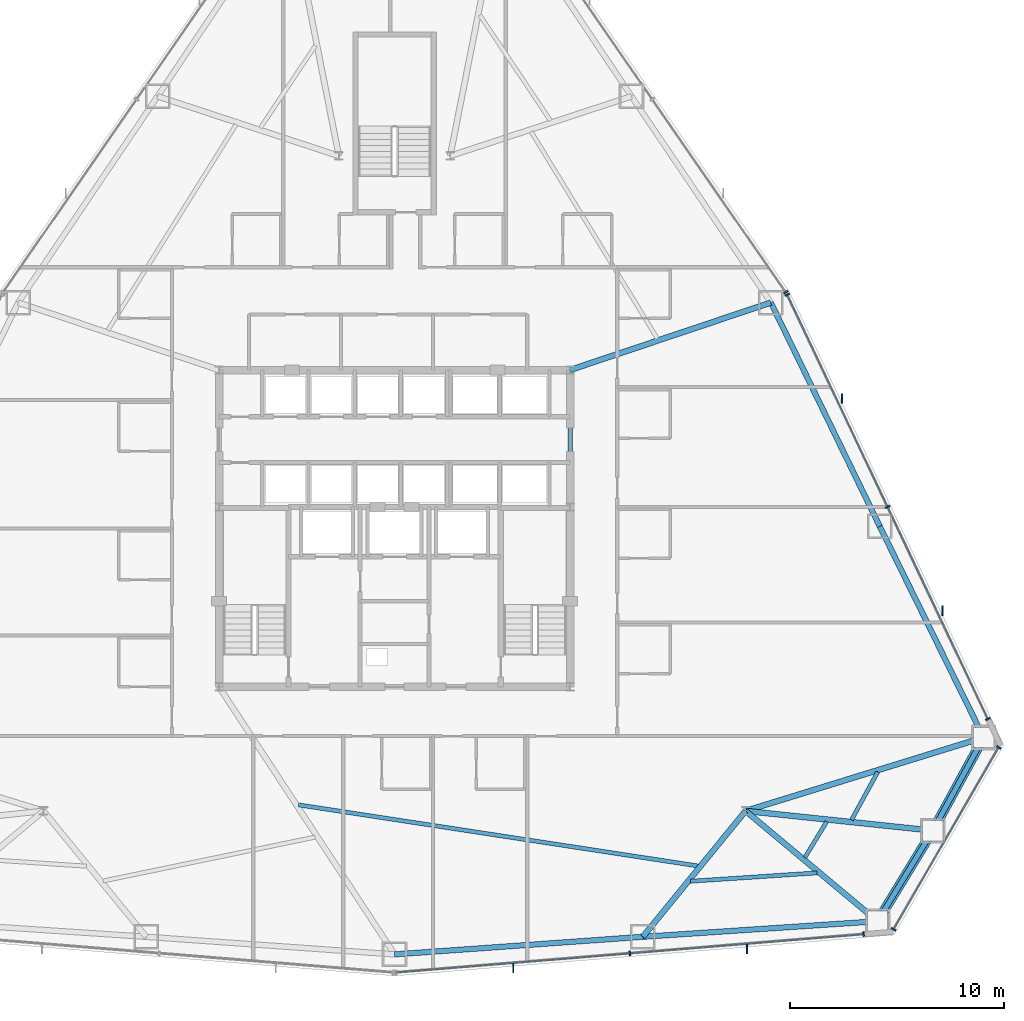
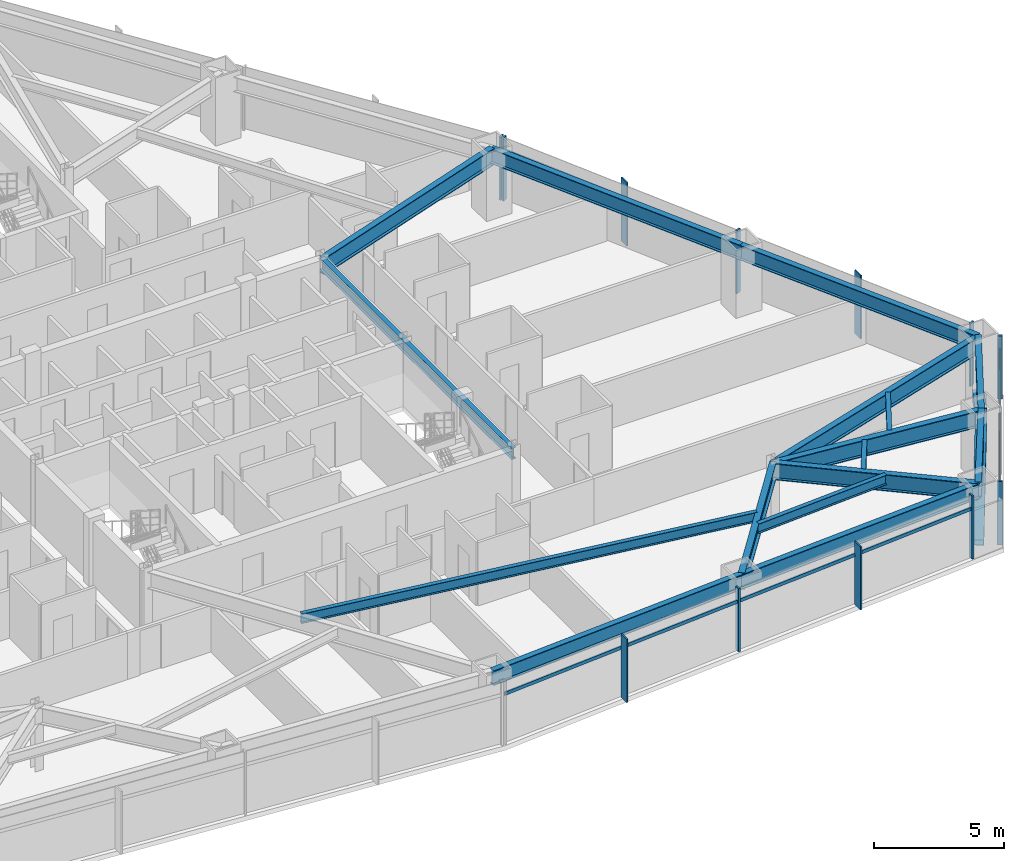
# One storey, part 6 of 13: 17 members, 16 beams, 4 elements without a shape of their own.
"""IFC4 building model written with IfcOpenShell, lengths in metres."""

import ifcopenshell
import ifcopenshell.guid

model = None  # the IFC model being written
_history = None  # IfcOwnerHistory: only IFC2X3 demands one
_inside = {}  # id of a spatial element -> (the spatial element, [elements in it])
_under = {}  # id of a project, library or spatial element -> (it, [spatial elements below it])
_declared = {}  # id of a project -> (the project, [libraries it declares])
_typed = {}  # id of a type object -> (the type object, [elements of that type])
_made_of = {}  # id of a material, layer set ... -> (it, [elements and type objects made of it])


def new_model(schema):
    """Start an empty IFC model of exactly this schema.

    Asked for "IFC4X3", IfcOpenShell would pick the latest addendum, in which some entities
    have other attributes; the version numbers below select the first issue.
    IFC2X3 requires an IfcOwnerHistory on every rooted entity: one is made here for all.
    """
    global model, _history
    if schema == "IFC4X3":
        model = ifcopenshell.file(schema_version=(4, 3, 0, 0))
    else:
        model = ifcopenshell.file(schema=schema)
    _inside.clear()
    _under.clear()
    _declared.clear()
    _typed.clear()
    _made_of.clear()
    _history = None
    if model.schema == "IFC2X3":
        org = make("IfcOrganization", Name="unknown")
        user = make(
            "IfcPersonAndOrganization",
            ThePerson=make("IfcPerson", FamilyName="unknown"),
            TheOrganization=org,
        )
        app = make(
            "IfcApplication",
            ApplicationDeveloper=org,
            Version="unknown",
            ApplicationFullName="unknown",
            ApplicationIdentifier="unknown",
        )
        _history = make(
            "IfcOwnerHistory",
            OwningUser=user,
            OwningApplication=app,
            ChangeAction="ADDED",
            CreationDate=0,
        )
    return model


def make(cls, **values):
    """One entity of the class cls with the attributes given. An attribute that is None is left unset."""
    return model.create_entity(
        cls, **{name: value for name, value in values.items() if value is not None}
    )


def rooted(cls, **values):
    """An entity with a GlobalId (a new one), such as an element, a storey or a relation."""
    return make(cls, GlobalId=ifcopenshell.guid.new(), OwnerHistory=_history, **values)


def si_unit(unit_type, name, prefix=None):
    """IfcSIUnit, for example si_unit("LENGTHUNIT", "METRE", prefix="MILLI")."""
    return make("IfcSIUnit", UnitType=unit_type, Prefix=prefix, Name=name)


def assignment(units):
    """IfcUnitAssignment: the units of a project."""
    return None if units is None else make("IfcUnitAssignment", Units=units)


def point(xyz):
    """IfcCartesianPoint."""
    return None if xyz is None else make("IfcCartesianPoint", Coordinates=xyz)


def direction(xyz):
    """IfcDirection."""
    return None if xyz is None else make("IfcDirection", DirectionRatios=xyz)


def frame(location, z_axis=None, x_axis=None):
    """IfcAxis2Placement3D, a coordinate frame: its origin and axes. An axis left out is left unset."""
    return make(
        "IfcAxis2Placement3D",
        Location=point(location),
        Axis=direction(z_axis),
        RefDirection=direction(x_axis),
    )


def frame_2d(location, x_axis=None):
    """IfcAxis2Placement2D, a coordinate frame in the plane: its origin and x axis."""
    return make(
        "IfcAxis2Placement2D", Location=point(location), RefDirection=direction(x_axis)
    )


def origin():
    """The frame at (0, 0, 0) with its axes left unset."""
    return frame((0.0, 0.0, 0.0))


def origin_2d():
    """The frame at (0, 0) in the plane with its x axis left unset."""
    return frame_2d((0.0, 0.0))


def place(relative_to, where):
    """IfcLocalPlacement: puts the frame where relative to a parent placement (None: the world)."""
    return make(
        "IfcLocalPlacement", PlacementRelTo=relative_to, RelativePlacement=where
    )


def context(
    kind, dimensions, precision=None, world=None, true_north=None, identifier=None
):
    """IfcGeometricRepresentationContext, for example the 3D "Model" context."""
    return make(
        "IfcGeometricRepresentationContext",
        ContextIdentifier=identifier,
        ContextType=kind,
        CoordinateSpaceDimension=dimensions,
        Precision=precision,
        WorldCoordinateSystem=world,
        TrueNorth=true_north,
    )


def subcontext(parent, identifier, kind, view, scale=None):
    """IfcGeometricRepresentationSubContext, for example "Body" below "Model"."""
    return make(
        "IfcGeometricRepresentationSubContext",
        ContextIdentifier=identifier,
        ContextType=kind,
        ParentContext=parent,
        TargetScale=scale,
        TargetView=view,
    )


def project(units=None, contexts=None):
    """IfcProject with its units and contexts."""
    return rooted(
        "IfcProject",
        Name="project",
        RepresentationContexts=contexts,
        UnitsInContext=assignment(units),
    )


def spatial(cls, under=None, at=None, **own):
    """A site, building, storey or space (cls), placed at a placement, below another one or the project."""
    s = rooted(cls, ObjectPlacement=at, **own)
    if under is not None:
        _under.setdefault(under.id(), (under, []))[1].append(s)
    return s


def profile(cls, at=None, kind="AREA", **sizes):
    """A parametric profile (cls). Its sizes go by their IFC names, for example OverallWidth=200.0."""
    return make(cls, ProfileType=kind, Position=at, **sizes)


def rectangle(**sizes):
    """IfcRectangleProfileDef."""
    return profile("IfcRectangleProfileDef", **sizes)


def hollow_rectangle(**sizes):
    """IfcRectangleHollowProfileDef."""
    return profile("IfcRectangleHollowProfileDef", **sizes)


def i_section(**sizes):
    """IfcIShapeProfileDef."""
    return profile("IfcIShapeProfileDef", **sizes)


def extrude(swept, where, along, depth):
    """IfcExtrudedAreaSolid: the profile swept, set in the frame where, extruded along a direction by depth."""
    return make(
        "IfcExtrudedAreaSolid",
        SweptArea=swept,
        Position=where,
        ExtrudedDirection=direction(along),
        Depth=depth,
    )


def shape(context_of_items, identifier, shape_type, items):
    """IfcShapeRepresentation: the items that make up one representation, for example the "Body"."""
    return make(
        "IfcShapeRepresentation",
        ContextOfItems=context_of_items,
        RepresentationIdentifier=identifier,
        RepresentationType=shape_type,
        Items=items,
    )


def source(mapping_origin, context_of_items, identifier, shape_type, items):
    """IfcRepresentationMap: a shape defined once, which mapped items show again and again."""
    return make(
        "IfcRepresentationMap",
        MappingOrigin=mapping_origin,
        MappedRepresentation=shape(context_of_items, identifier, shape_type, items),
    )


def transform(
    local_origin,
    x_axis=None,
    y_axis=None,
    z_axis=None,
    scale=None,
    scale2=None,
    scale3=None,
    uniform=True,
):
    """IfcCartesianTransformationOperator3D, or its non-uniform kind. x_axis, y_axis, z_axis: its Axis1, 2, 3."""
    if uniform:
        return make(
            "IfcCartesianTransformationOperator3D",
            Axis1=direction(x_axis),
            Axis2=direction(y_axis),
            LocalOrigin=point(local_origin),
            Scale=scale,
            Axis3=direction(z_axis),
        )
    return make(
        "IfcCartesianTransformationOperator3DnonUniform",
        Axis1=direction(x_axis),
        Axis2=direction(y_axis),
        LocalOrigin=point(local_origin),
        Scale=scale,
        Axis3=direction(z_axis),
        Scale2=scale2,
        Scale3=scale3,
    )


def mapped(mapping_source, mapping_target):
    """IfcMappedItem: shows the shape of a source again, moved by a transform."""
    return make(
        "IfcMappedItem", MappingSource=mapping_source, MappingTarget=mapping_target
    )


def material(Name=None, Category=None):
    """IfcMaterial."""
    return make("IfcMaterial", Name=Name, Category=Category)


def layer(
    of_material, thickness, ventilated=None, Name=None, Category=None, Priority=None
):
    """IfcMaterialLayer: one layer of a wall or slab, of a material (None: an air gap)."""
    return make(
        "IfcMaterialLayer",
        Material=of_material,
        LayerThickness=thickness,
        IsVentilated=ventilated,
        Name=Name,
        Category=Category,
        Priority=Priority,
    )


def layer_set(layers, Name=None):
    """IfcMaterialLayerSet."""
    return make("IfcMaterialLayerSet", MaterialLayers=layers, LayerSetName=Name)


def material_profile(
    of_material, cross_section, Name=None, Category=None, Priority=None
):
    """IfcMaterialProfile: a cross section and its material."""
    return make(
        "IfcMaterialProfile",
        Name=Name,
        Material=of_material,
        Profile=cross_section,
        Priority=Priority,
        Category=Category,
    )


def profile_set(profiles, Name=None, composite=None):
    """IfcMaterialProfileSet."""
    return make(
        "IfcMaterialProfileSet",
        Name=Name,
        MaterialProfiles=profiles,
        CompositeProfile=composite,
    )


def made_of(thing, what):
    """Note that an element or type object is made of a material, layer set ...; save() writes the relation."""
    if what is not None:
        _made_of.setdefault(what.id(), (what, []))[1].append(thing)
    return thing


def type_object(cls, material=None, **own):
    """A type object (cls), such as IfcWallType, which elements share."""
    return made_of(rooted(cls, **own), material)


def type_shapes(of_type, sources):
    """Give a type object the sources (RepresentationMaps) that its elements show as mapped items."""
    of_type.RepresentationMaps = sources


def element(
    cls,
    number,
    at=None,
    inside=None,
    cuts=None,
    type_object=None,
    material=None,
    context=None,
    identifier="Body",
    shape_type=None,
    held_by="IfcProductDefinitionShape",
    body=None,
    shapes=None,
    **own,
):
    """One element of the class cls, such as IfcWall. Its Tag is "e" and its number.

    at: its placement. inside: the storey or other place that contains it. cuts: it is an
    opening in that element (IfcRelVoidsElement). A single representation is given by context,
    identifier, shape_type and body (its items); several are given by shapes. held_by: the class
    of the entity that holds the representations. save() writes the other relations.
    """
    e = rooted(cls, Tag="e%d" % number, ObjectPlacement=at, **own)
    if body is not None:
        shapes = [shape(context, identifier, shape_type, body)]
    if shapes is not None:
        e.Representation = make(held_by, Representations=shapes)
    if inside is not None:
        _inside.setdefault(inside.id(), (inside, []))[1].append(e)
    if cuts is not None:
        rooted(
            "IfcRelVoidsElement", RelatingBuildingElement=cuts, RelatedOpeningElement=e
        )
    if type_object is not None:
        _typed.setdefault(type_object.id(), (type_object, []))[1].append(e)
    return made_of(e, material)


def aggregate(whole, parts):
    """IfcRelAggregates: a whole, such as a stair, and the parts it consists of."""
    return rooted("IfcRelAggregates", RelatingObject=whole, RelatedObjects=parts)


def save(model, path):
    """Write the relations noted so far, then the file.

    IfcRelAggregates (storeys below a building ...), IfcRelContainedInSpatialStructure (elements
    in a storey), IfcRelDefinesByType, IfcRelAssociatesMaterial and IfcRelDeclares: one each for
    every whole, place, type object, material and project.
    """
    for whole, parts in _under.values():
        aggregate(whole, parts)
    for where, things in _inside.values():
        rooted(
            "IfcRelContainedInSpatialStructure",
            RelatedElements=things,
            RelatingStructure=where,
        )
    for kind, things in _typed.values():
        rooted("IfcRelDefinesByType", RelatedObjects=things, RelatingType=kind)
    for what, things in _made_of.values():
        rooted("IfcRelAssociatesMaterial", RelatedObjects=things, RelatingMaterial=what)
    for by, libraries in _declared.values():
        rooted("IfcRelDeclares", RelatingContext=by, RelatedDefinitions=libraries)
    model.write(path)


model = new_model("IFC4")

# Units and contexts
model_context = context("Model", 3, precision=1e-05, world=origin(), true_north=direction((0.0, 1.0)))
body_context = subcontext(model_context, "Body", "Model", "MODEL_VIEW")
ifc_project = project(units=[si_unit("LENGTHUNIT", "METRE"), si_unit("AREAUNIT", "SQUARE_METRE"), si_unit("VOLUMEUNIT", "CUBIC_METRE"), si_unit("PLANEANGLEUNIT", "RADIAN"), si_unit("MASSUNIT", "GRAM", prefix="KILO")], contexts=[model_context])

# Site, building, storey
site_placement = place(None, origin())
site = spatial("IfcSite", under=ifc_project, at=site_placement, CompositionType="ELEMENT")
building_placement = place(site_placement, origin())
building = spatial("IfcBuilding", under=site, at=building_placement, Name="Varakhsha Concourse Tower", CompositionType="ELEMENT")
storey_placement = place(building_placement, frame((0.0, 0.0, 52.800048828125)))
storey = spatial("IfcBuildingStorey", under=building, at=storey_placement, Name="L14", CompositionType="ELEMENT", Elevation=52.800048828125)

# Beams
ifc_material_1 = material(Name="Structural Steel ASTM A992 Grade 50", Category="steel")
ifc_material_profile_1 = material_profile(ifc_material_1, i_section(OverallWidth=0.26611328125, OverallDepth=0.779052734375, WebThickness=0.01708984375, FlangeThickness=0.030029296875, at=origin_2d()), Name="W30X148")
ifc_profile_set_1 = profile_set([ifc_material_profile_1], Name="Structural Steel ASTM A992 Grade 50")
beam_type_1 = type_object("IfcBeamType", Name="BM-BASE-W30X148", PredefinedType="USERDEFINED", material=ifc_profile_set_1)
beam_1_placement = place(storey_placement, frame((56.39990234375, 10.60009765625, 2.59033203125), z_axis=(-0.632361519262, -0.77467342084, 0.0), x_axis=(0.77467342084, -0.632361519262, 0.0)))
element("IfcBeam", 1, at=beam_1_placement, inside=storey, type_object=beam_type_1, Name="L14 Radial Floor Girder 12", ObjectType="GIRDER", PredefinedType="USERDEFINED", context=body_context, shape_type="SweptSolid", body=[
    extrude(i_section(OverallWidth=0.26611328125, OverallDepth=0.779052734375, WebThickness=0.01708984375, FlangeThickness=0.030029296875, at=origin_2d()), origin(), (0.0, 0.0, 1.0), 7.589599609375),
])
beam_2_placement = place(storey_placement, frame((56.39990234375, 10.60009765625, 2.59033203125), z_axis=(0.767329066502, -0.641253540887, 0.0), x_axis=(0.641253540887, 0.767329066502, 0.0)))
element("IfcBeam", 2, at=beam_2_placement, inside=storey, type_object=beam_type_1, Name="L14 Radial Floor Girder 13", ObjectType="GIRDER", PredefinedType="USERDEFINED", context=body_context, shape_type="SweptSolid", body=[
    extrude(i_section(OverallWidth=0.26611328125, OverallDepth=0.779052734375, WebThickness=0.01708984375, FlangeThickness=0.030029296875, at=origin_2d()), origin(), (0.0, 0.0, 1.0), 8.036376953125),
])
beam_3_placement = place(storey_placement, frame((56.39990234375, 10.60009765625, 2.59033203125), z_axis=(0.994529307573, -0.104457916778, 0.0), x_axis=(0.104457916778, 0.994529307573, 0.0)))
element("IfcBeam", 3, at=beam_3_placement, inside=storey, type_object=beam_type_1, Name="L14 Radial Floor Girder 14", ObjectType="GIRDER", PredefinedType="USERDEFINED", context=body_context, shape_type="SweptSolid", body=[
    extrude(i_section(OverallWidth=0.26611328125, OverallDepth=0.779052734375, WebThickness=0.01708984375, FlangeThickness=0.030029296875, at=origin_2d()), origin(), (0.0, 0.0, 1.0), 8.794921875),
])
beam_4_placement = place(storey_placement, frame((56.39990234375, 10.60009765625, 2.59033203125), z_axis=(0.955523369022, 0.294915396773, 0.0), x_axis=(-0.294915396773, 0.955523369022, 0.0)))
element("IfcBeam", 4, at=beam_4_placement, inside=storey, type_object=beam_type_1, Name="L14 Radial Floor Girder 15", ObjectType="GIRDER", PredefinedType="USERDEFINED", context=body_context, shape_type="SweptSolid", body=[
    extrude(i_section(OverallWidth=0.26611328125, OverallDepth=0.779052734375, WebThickness=0.01708984375, FlangeThickness=0.030029296875, at=origin_2d()), origin(), (0.0, 0.0, 1.0), 11.641845703125),
])
beam_5_placement = place(storey_placement, frame((48.199951171875, 31.199951171875, 2.59033203125), z_axis=(0.947972870005, 0.318351123345, 0.0), x_axis=(-0.318351123345, 0.947972870005, 0.0)))
element("IfcBeam", 5, at=beam_5_placement, inside=storey, type_object=beam_type_1, Name="L14 Radial Floor Girder 17", ObjectType="GIRDER", PredefinedType="USERDEFINED", context=body_context, shape_type="SweptSolid", body=[
    extrude(i_section(OverallWidth=0.26611328125, OverallDepth=0.779052734375, WebThickness=0.01708984375, FlangeThickness=0.030029296875, at=origin_2d()), origin(), (0.0, 0.0, 1.0), 9.89599609375),
])
ifc_material_profile_2 = material_profile(ifc_material_1, i_section(OverallWidth=0.19091796875, OverallDepth=0.45703125, WebThickness=0.009033203125, FlangeThickness=0.013916015625, at=origin_2d()), Name="W18X50")
ifc_profile_set_2 = profile_set([ifc_material_profile_2], Name="Structural Steel ASTM A992 Grade 50")
beam_type_2 = type_object("IfcBeamType", Name="BM-JST-W18X50", PredefinedType="JOIST", material=ifc_profile_set_2)
beam_6_placement = place(storey_placement, frame((35.5166015625, 10.883056640625, 2.75146484375), z_axis=(0.988514030491, -0.151129122017, 0.0), x_axis=(0.151129122017, 0.988514030491, 0.0)))
element("IfcBeam", 6, at=beam_6_placement, inside=storey, type_object=beam_type_2, Name="BM-TJST-L14-11", PredefinedType="JOIST", context=body_context, shape_type="SweptSolid", body=[
    extrude(i_section(OverallWidth=0.19091796875, OverallDepth=0.45703125, WebThickness=0.009033203125, FlangeThickness=0.013916015625, at=origin_2d()), origin(), (0.0, 0.0, 1.0), 18.879638671875),
])
beam_7_placement = place(storey_placement, frame((53.822021484375, 7.31494140625, 2.75146484375), z_axis=(0.997817622743, 0.066030233549, 0.0), x_axis=(-0.066030233549, 0.997817622743, 0.0)))
element("IfcBeam", 7, at=beam_7_placement, inside=storey, type_object=beam_type_2, Name="BM-TJST-L14-12", PredefinedType="JOIST", context=body_context, shape_type="SweptSolid", body=[
    extrude(i_section(OverallWidth=0.19091796875, OverallDepth=0.45703125, WebThickness=0.009033203125, FlangeThickness=0.013916015625, at=origin_2d()), origin(), (0.0, 0.0, 1.0), 5.934326171875),
])
beam_8_placement = place(storey_placement, frame((59.17041015625, 8.426513671875, 2.75146484375), z_axis=(0.520412708424, 0.853914874511, 0.0), x_axis=(-0.853914874511, 0.520412708424, 0.0)))
element("IfcBeam", 8, at=beam_8_placement, inside=storey, type_object=beam_type_2, Name="BM-TJST-L14-13", PredefinedType="JOIST", context=body_context, shape_type="SweptSolid", body=[
    extrude(i_section(OverallWidth=0.19091796875, OverallDepth=0.45703125, WebThickness=0.009033203125, FlangeThickness=0.013916015625, at=origin_2d()), origin(), (0.0, 0.0, 1.0), 1.9619140625),
])
beam_9_placement = place(storey_placement, frame((61.350830078125, 10.18212890625, 2.75146484375), z_axis=(0.479380501669, 0.877607164179, 0.0), x_axis=(-0.877607164179, 0.479380501669, 0.0)))
element("IfcBeam", 9, at=beam_9_placement, inside=storey, type_object=beam_type_2, Name="BM-TJST-L14-14", PredefinedType="JOIST", context=body_context, shape_type="SweptSolid", body=[
    extrude(i_section(OverallWidth=0.19091796875, OverallDepth=0.45703125, WebThickness=0.009033203125, FlangeThickness=0.013916015625, at=origin_2d()), origin(), (0.0, 0.0, 1.0), 2.55712890625),
])
ifc_material_profile_3 = material_profile(ifc_material_1, i_section(OverallWidth=0.2109375, OverallDepth=0.5390625, WebThickness=0.011962890625, FlangeThickness=0.01904296875, at=origin_2d()), Name="W21X73")
ifc_profile_set_3 = profile_set([ifc_material_profile_3], Name="Structural Steel ASTM A992 Grade 50")
beam_type_3 = type_object("IfcBeamType", Name="BM-RAD-W21X73", PredefinedType="BEAM", material=ifc_profile_set_3)
beam_10_placement = place(storey_placement, frame((48.199951171875, 16.39990234375, 2.71044921875), z_axis=(0.0, 1.0, 0.0), x_axis=(-1.0, 0.0, 0.0)))
element("IfcBeam", 10, at=beam_10_placement, inside=storey, type_object=beam_type_3, Name="BM-TCORE-L14-CE", PredefinedType="BEAM", context=body_context, shape_type="SweptSolid", body=[
    extrude(i_section(OverallWidth=0.2109375, OverallDepth=0.5390625, WebThickness=0.011962890625, FlangeThickness=0.01904296875, at=origin_2d()), origin(), (0.0, 0.0, 1.0), 14.800048828125),
])
ifc_material_profile_4 = material_profile(ifc_material_1, i_section(OverallWidth=0.25390625, OverallDepth=0.701904296875, WebThickness=0.014892578125, FlangeThickness=0.028076171875, at=origin_2d()), Name="W27X129")
ifc_profile_set_4 = profile_set([ifc_material_profile_4], Name="Structural Steel ASTM A992 Grade 50")
beam_type_4 = type_object("IfcBeamType", Name="BM-SPAN-W27X129", PredefinedType="SPANDREL", material=ifc_profile_set_4)
beam_11_placement = place(storey_placement, frame((40.0, 3.899169921875, 2.62890625), z_axis=(0.997501780615, 0.070641331168, 0.0), x_axis=(-0.070641331168, 0.997501780615, 0.0)))
element("IfcBeam", 11, at=beam_11_placement, inside=storey, type_object=beam_type_4, Name="BM-SPAN-L14-11", PredefinedType="SPANDREL", context=body_context, shape_type="SweptSolid", body=[
    extrude(i_section(OverallWidth=0.25390625, OverallDepth=0.701904296875, WebThickness=0.014892578125, FlangeThickness=0.028076171875, at=origin_2d()), origin(), (0.0, 0.0, 1.0), 11.629638671875),
])
beam_12_placement = place(storey_placement, frame((51.6005859375, 4.720703125, 2.62890625), z_axis=(0.997815134751, 0.06606782017, 0.0), x_axis=(-0.06606782017, 0.997815134751, 0.0)))
element("IfcBeam", 12, at=beam_12_placement, inside=storey, type_object=beam_type_4, Name="BM-SPAN-L14-12", PredefinedType="SPANDREL", context=body_context, shape_type="SweptSolid", body=[
    extrude(i_section(OverallWidth=0.25390625, OverallDepth=0.701904296875, WebThickness=0.014892578125, FlangeThickness=0.028076171875, at=origin_2d()), origin(), (0.0, 0.0, 1.0), 10.98974609375),
])
beam_13_placement = place(storey_placement, frame((62.56640625, 5.44677734375, 2.62890625), z_axis=(0.520348294869, 0.85395412759, 0.0), x_axis=(-0.85395412759, 0.520348294869, 0.0)))
element("IfcBeam", 13, at=beam_13_placement, inside=storey, type_object=beam_type_4, Name="BM-SPAN-L14-13", PredefinedType="SPANDREL", context=body_context, shape_type="SweptSolid", body=[
    extrude(i_section(OverallWidth=0.25390625, OverallDepth=0.701904296875, WebThickness=0.014892578125, FlangeThickness=0.028076171875, at=origin_2d()), origin(), (0.0, 0.0, 1.0), 4.958740234375),
])
beam_14_placement = place(storey_placement, frame((65.146728515625, 9.681396484375, 2.62890625), z_axis=(0.479372903145, 0.877611314723, 0.0), x_axis=(-0.877611314723, 0.479372903145, 0.0)))
element("IfcBeam", 14, at=beam_14_placement, inside=storey, type_object=beam_type_4, Name="BM-SPAN-L14-14", PredefinedType="SPANDREL", context=body_context, shape_type="SweptSolid", body=[
    extrude(i_section(OverallWidth=0.25390625, OverallDepth=0.701904296875, WebThickness=0.014892578125, FlangeThickness=0.028076171875, at=origin_2d()), origin(), (0.0, 0.0, 1.0), 4.958984375),
])
beam_15_placement = place(storey_placement, frame((67.52392578125, 14.033447265625, 2.62890625), z_axis=(-0.441677973031, 0.897173655509, 0.0), x_axis=(-0.897173655509, -0.441677973031, 0.0)))
element("IfcBeam", 15, at=beam_15_placement, inside=storey, type_object=beam_type_4, Name="BM-SPAN-L14-15", PredefinedType="SPANDREL", context=body_context, shape_type="SweptSolid", body=[
    extrude(i_section(OverallWidth=0.25390625, OverallDepth=0.701904296875, WebThickness=0.014892578125, FlangeThickness=0.028076171875, at=origin_2d()), origin(), (0.0, 0.0, 1.0), 10.989990234375),
])
beam_16_placement = place(storey_placement, frame((62.669921875, 23.893310546875, 2.62890625), z_axis=(-0.437581332588, 0.899178835032, 0.0), x_axis=(-0.899178835032, -0.437581332588, 0.0)))
element("IfcBeam", 16, at=beam_16_placement, inside=storey, type_object=beam_type_4, Name="BM-SPAN-L14-16", PredefinedType="SPANDREL", context=body_context, shape_type="SweptSolid", body=[
    extrude(i_section(OverallWidth=0.25390625, OverallDepth=0.701904296875, WebThickness=0.014892578125, FlangeThickness=0.028076171875, at=origin_2d()), origin(), (0.0, 0.0, 1.0), 11.629638671875),
])

# Members
ifc_material_2 = material(Name="Structural Steel ASTM A500 Grade C", Category="steel")
ifc_material_profile_5 = material_profile(ifc_material_2, hollow_rectangle(XDim=0.449951171875, YDim=0.449951171875, WallThickness=0.01904296875, at=origin_2d()), Name="HSS 450x450x19")
ifc_profile_set_5 = profile_set([ifc_material_profile_5], Name="Structural Steel ASTM A500 Grade C")
member_type_1 = type_object("IfcMemberType", Name="MB-TUBE-HSS450", PredefinedType="BRACE", material=ifc_profile_set_5)
shared_shape_1 = source(origin(), body_context, "Body", "SweptSolid", [
    extrude(hollow_rectangle(XDim=0.449951171875, YDim=0.449951171875, WallThickness=0.01904296875, at=origin_2d()), origin(), (0.0, 0.0, 1.0), 5.580810546875),
])
member_1_placement = place(storey_placement, frame((67.52392578125, 14.033447265625, 0.119873046875), z_axis=(-0.425960053824, -0.77982581077, 0.458726211811), x_axis=(0.877611314723, -0.479372903145, 0.0)))
element("IfcMember", 17, at=member_1_placement, inside=storey, type_object=member_type_1, Name="L14 Wind-Corner Tube Brace B06", PredefinedType="BRACE", context=body_context, shape_type="MappedRepresentation", body=[
    mapped(shared_shape_1, transform((0.0, 0.0, 0.0), scale=1.0)),
])
shared_shape_2 = source(origin(), body_context, "Body", "SweptSolid", [
    extrude(hollow_rectangle(XDim=0.449951171875, YDim=0.449951171875, WallThickness=0.01904296875, at=origin_2d()), origin(), (0.0, 0.0, 1.0), 5.58056640625),
])
type_shapes(member_type_1, [shared_shape_1, shared_shape_2])
member_2_placement = place(storey_placement, frame((62.56640625, 5.44677734375, 0.119873046875), z_axis=(0.462367199705, 0.758800177773, 0.458736158209), x_axis=(-0.85395412759, 0.520348294869, 0.0)))
element("IfcMember", 18, at=member_2_placement, inside=storey, type_object=member_type_1, Name="L14 Wind-Corner Tube Brace B05", PredefinedType="BRACE", context=body_context, shape_type="MappedRepresentation", body=[
    mapped(shared_shape_2, transform((0.0, 0.0, 0.0), scale=1.0)),
])

# Curtain wall, members
ifc_material_3 = material(Name="Anodised Bronze Architectural Aluminium AA 6063-T6", Category="aluminium")
ifc_layer = layer(ifc_material_3, 0.219970703125, Name="CW-SYS-02")
ifc_layer_set = layer_set([ifc_layer], Name="Anodised Bronze Architectural Aluminium AA 6063-T6")
curtain_wall_type = type_object("IfcCurtainWallType", Name="CW-SYS-02", PredefinedType="NOTDEFINED", material=ifc_layer_set)
curtain_wall_1_placement = place(storey_placement, origin())
curtain_wall_1 = element("IfcCurtainWall", 19, at=curtain_wall_1_placement, inside=storey, type_object=curtain_wall_type, Name="L14 Crystal Curtain Wall F6", PredefinedType="NOTDEFINED")
ifc_material_profile_6 = material_profile(ifc_material_3, rectangle(XDim=0.074951171875, YDim=0.219970703125, at=origin_2d()), Name="CWM-220X75")
ifc_profile_set_6 = profile_set([ifc_material_profile_6], Name="Anodised Bronze Architectural Aluminium AA 6063-T6")
member_type_2 = type_object("IfcMemberType", Name="CWM-220X75", PredefinedType="MULLION", material=ifc_profile_set_6)
shared_shape_3 = source(origin(), body_context, "Body", "SweptSolid", [
    extrude(rectangle(XDim=0.074951171875, YDim=0.219970703125, at=origin_2d()), origin(), (0.0, 0.0, 1.0), 2.97998046875),
])
type_shapes(member_type_2, [shared_shape_3])
member_3_placement = place(storey_placement, frame((61.91650390625, 4.843505859375, 0.0), z_axis=(0.0, 0.0, 1.0), x_axis=(-0.996659944452, -0.081663670777, 0.0)))
member_3 = element("IfcMember", 20, at=member_3_placement, type_object=member_type_2, Name="CW-L14-F6 Mullion 00", PredefinedType="MULLION", context=body_context, shape_type="MappedRepresentation", body=[
    mapped(shared_shape_3, transform((0.0, 0.0, 0.0), scale=1.0)),
])
member_4_placement = place(storey_placement, frame((50.99169921875, 3.948486328125, 0.0), z_axis=(0.0, 0.0, 1.0), x_axis=(-0.996659944452, -0.081663670777, 0.0)))
member_4 = element("IfcMember", 21, at=member_4_placement, type_object=member_type_2, Name="CW-L14-F6 Mullion 01", PredefinedType="MULLION", context=body_context, shape_type="MappedRepresentation", body=[
    mapped(shared_shape_3, transform((0.0, 0.0, 0.0), scale=1.0)),
])

curtain_wall_2_placement = place(storey_placement, origin())
curtain_wall_2 = element("IfcCurtainWall", 22, at=curtain_wall_2_placement, inside=storey, type_object=curtain_wall_type, Name="L14 Chamfer Curtain Wall F7", PredefinedType="NOTDEFINED")
member_5_placement = place(storey_placement, frame((68.224609375, 13.572509765625, 0.0), z_axis=(0.0, 0.0, 1.0), x_axis=(-0.49999395399, -0.866028894422, 0.0)))
member_5 = element("IfcMember", 23, at=member_5_placement, type_object=member_type_2, Name="CW-L14-F7 Mullion 00", PredefinedType="MULLION", context=body_context, shape_type="MappedRepresentation", body=[
    mapped(shared_shape_3, transform((0.0, 0.0, 0.0), scale=1.0)),
])
member_6_placement = place(storey_placement, frame((63.316162109375, 5.070556640625, 0.0), z_axis=(0.0, 0.0, 1.0), x_axis=(-0.49999395399, -0.866028894422, 0.0)))
member_6 = element("IfcMember", 24, at=member_6_placement, type_object=member_type_2, Name="CW-L14-F7 Mullion 01", PredefinedType="MULLION", context=body_context, shape_type="MappedRepresentation", body=[
    mapped(shared_shape_3, transform((0.0, 0.0, 0.0), scale=1.0)),
])

curtain_wall_3_placement = place(storey_placement, origin())
curtain_wall_3 = element("IfcCurtainWall", 25, at=curtain_wall_3_placement, inside=storey, type_object=curtain_wall_type, Name="L14 Crystal Curtain Wall F8", PredefinedType="NOTDEFINED")
member_7_placement = place(storey_placement, frame((58.34716796875, 34.7158203125, 0.0), z_axis=(0.0, 0.0, 1.0), x_axis=(0.427604003332, -0.903966158844, 0.0)))
member_7 = element("IfcMember", 26, at=member_7_placement, type_object=member_type_2, Name="CW-L14-F8 Mullion 00", PredefinedType="MULLION", context=body_context, shape_type="MappedRepresentation", body=[
    mapped(shared_shape_3, transform((0.0, 0.0, 0.0), scale=1.0)),
])
member_8_placement = place(storey_placement, frame((63.0341796875, 24.806884765625, 0.0), z_axis=(0.0, 0.0, 1.0), x_axis=(0.427604003332, -0.903966158844, 0.0)))
member_8 = element("IfcMember", 27, at=member_8_placement, type_object=member_type_2, Name="CW-L14-F8 Mullion 01", PredefinedType="MULLION", context=body_context, shape_type="MappedRepresentation", body=[
    mapped(shared_shape_3, transform((0.0, 0.0, 0.0), scale=1.0)),
])
member_9_placement = place(storey_placement, frame((67.721435546875, 14.898193359375, 0.0), z_axis=(0.0, 0.0, 1.0), x_axis=(0.427604003332, -0.903966158844, 0.0)))
member_9 = element("IfcMember", 28, at=member_9_placement, type_object=member_type_2, Name="CW-L14-F8 Mullion 02", PredefinedType="MULLION", context=body_context, shape_type="MappedRepresentation", body=[
    mapped(shared_shape_3, transform((0.0, 0.0, 0.0), scale=1.0)),
])

# Curtain wall, member
curtain_wall_4_placement = place(storey_placement, origin())
curtain_wall_4 = element("IfcCurtainWall", 29, at=curtain_wall_4_placement, inside=storey, type_object=curtain_wall_type, Name="L14 Crystal Curtain Wall F9", PredefinedType="NOTDEFINED")
member_10_placement = place(storey_placement, frame((58.280517578125, 34.8310546875, 0.0), z_axis=(0.0, 0.0, 1.0), x_axis=(0.569057091236, -0.822298015877, 0.0)))
member_10 = element("IfcMember", 30, at=member_10_placement, type_object=member_type_2, Name="CW-L14-F9 Mullion 02", PredefinedType="MULLION", context=body_context, shape_type="MappedRepresentation", body=[
    mapped(shared_shape_3, transform((0.0, 0.0, 0.0), scale=1.0)),
])
aggregate(curtain_wall_4, [member_10])

# Member
ifc_material_profile_7 = material_profile(ifc_material_3, rectangle(XDim=0.06494140625, YDim=0.449951171875, at=origin_2d()), Name="FIN-BRZ-450")
ifc_profile_set_7 = profile_set([ifc_material_profile_7], Name="Anodised Bronze Architectural Aluminium AA 6063-T6")
member_type_3 = type_object("IfcMemberType", Name="FIN-BRZ-450", PredefinedType="USERDEFINED", material=ifc_profile_set_7)
shared_shape_4 = source(origin(), body_context, "Body", "SweptSolid", [
    extrude(rectangle(XDim=0.06494140625, YDim=0.449951171875, at=origin_2d()), origin(), (0.0, 0.0, 1.0), 2.97998046875),
])
type_shapes(member_type_3, [shared_shape_4])
member_11_placement = place(storey_placement, frame((56.4736328125, 4.15673828125, 0.0), z_axis=(0.0, 0.0, 1.0), x_axis=(1.0, 0.0, 0.0)))
member_11 = element("IfcMember", 31, at=member_11_placement, type_object=member_type_3, Name="L14 Anodised Bronze Solar Fin F6-1", ObjectType="SOLAR FIN", PredefinedType="USERDEFINED", context=body_context, shape_type="MappedRepresentation", body=[
    mapped(shared_shape_4, transform((0.0, 0.0, 0.0), scale=1.0)),
])

member_12_placement = place(storey_placement, frame((45.548583984375, 3.26171875, 0.0), z_axis=(0.0, 0.0, 1.0), x_axis=(1.0, 0.0, 0.0)))
member_12 = element("IfcMember", 32, at=member_12_placement, type_object=member_type_3, Name="L14 Anodised Bronze Solar Fin F6-2", ObjectType="SOLAR FIN", PredefinedType="USERDEFINED", context=body_context, shape_type="MappedRepresentation", body=[
    mapped(shared_shape_4, transform((0.0, 0.0, 0.0), scale=1.0)),
])

member_13_placement = place(storey_placement, frame((60.90771484375, 29.864013671875, 0.0), z_axis=(0.0, 0.0, 1.0), x_axis=(1.0, 0.0, 0.0)))
member_13 = element("IfcMember", 33, at=member_13_placement, type_object=member_type_3, Name="L14 Anodised Bronze Solar Fin F8-1", ObjectType="SOLAR FIN", PredefinedType="USERDEFINED", context=body_context, shape_type="MappedRepresentation", body=[
    mapped(shared_shape_4, transform((0.0, 0.0, 0.0), scale=1.0)),
])

member_14_placement = place(storey_placement, frame((65.5947265625, 19.955078125, 0.0), z_axis=(0.0, 0.0, 1.0), x_axis=(1.0, 0.0, 0.0)))
member_14 = element("IfcMember", 34, at=member_14_placement, type_object=member_type_3, Name="L14 Anodised Bronze Solar Fin F8-2", ObjectType="SOLAR FIN", PredefinedType="USERDEFINED", context=body_context, shape_type="MappedRepresentation", body=[
    mapped(shared_shape_4, transform((0.0, 0.0, 0.0), scale=1.0)),
])

ifc_material_profile_8 = material_profile(ifc_material_3, rectangle(XDim=0.06494140625, YDim=0.159912109375, at=origin_2d()), Name="CWT-160X65")
ifc_profile_set_8 = profile_set([ifc_material_profile_8], Name="Anodised Bronze Architectural Aluminium AA 6063-T6")
member_type_4 = type_object("IfcMemberType", Name="CWT-160X65", PredefinedType="USERDEFINED", material=ifc_profile_set_8)
shared_shape_5 = source(origin(), body_context, "Body", "SweptSolid", [
    extrude(rectangle(XDim=0.06494140625, YDim=0.159912109375, at=origin_2d()), origin(), (0.0, 0.0, 1.0), 21.923095703125),
])
member_15_placement = place(storey_placement, frame((61.91650390625, 4.843505859375, 2.329833984375), z_axis=(-0.996660077382, -0.08166204842, 0.0), x_axis=(0.08166204842, -0.996660077382, 0.0)))
member_15 = element("IfcMember", 35, at=member_15_placement, type_object=member_type_4, Name="CW-L14-F6 Transom 01", ObjectType="TRANSOM", PredefinedType="USERDEFINED", context=body_context, shape_type="MappedRepresentation", body=[
    mapped(shared_shape_5, transform((0.0, 0.0, 0.0), scale=1.0)),
])

aggregate(curtain_wall_1, [member_3, member_4, member_15, member_11, member_12])

shared_shape_6 = source(origin(), body_context, "Body", "SweptSolid", [
    extrude(rectangle(XDim=0.06494140625, YDim=0.159912109375, at=origin_2d()), origin(), (0.0, 0.0, 1.0), 21.9228515625),
])
member_16_placement = place(storey_placement, frame((58.34716796875, 34.7158203125, 2.329833984375), z_axis=(0.427600870916, -0.903967640567, 0.0), x_axis=(0.903967640567, 0.427600870916, 0.0)))
member_16 = element("IfcMember", 36, at=member_16_placement, type_object=member_type_4, Name="CW-L14-F8 Transom 01", ObjectType="TRANSOM", PredefinedType="USERDEFINED", context=body_context, shape_type="MappedRepresentation", body=[
    mapped(shared_shape_6, transform((0.0, 0.0, 0.0), scale=1.0)),
])

aggregate(curtain_wall_3, [member_7, member_8, member_9, member_16, member_13, member_14])

shared_shape_7 = source(origin(), body_context, "Body", "SweptSolid", [
    extrude(rectangle(XDim=0.06494140625, YDim=0.159912109375, at=origin_2d()), origin(), (0.0, 0.0, 1.0), 9.817138671875),
])
type_shapes(member_type_4, [shared_shape_5, shared_shape_6, shared_shape_7])
member_17_placement = place(storey_placement, frame((68.224609375, 13.572509765625, 2.329833984375), z_axis=(-0.499987955211, -0.866032357735, 0.0), x_axis=(0.866032357735, -0.499987955211, 0.0)))
member_17 = element("IfcMember", 37, at=member_17_placement, type_object=member_type_4, Name="CW-L14-F7 Transom 01", ObjectType="TRANSOM", PredefinedType="USERDEFINED", context=body_context, shape_type="MappedRepresentation", body=[
    mapped(shared_shape_7, transform((0.0, 0.0, 0.0), scale=1.0)),
])

aggregate(curtain_wall_2, [member_5, member_6, member_17])

save(model, "model.ifc")
